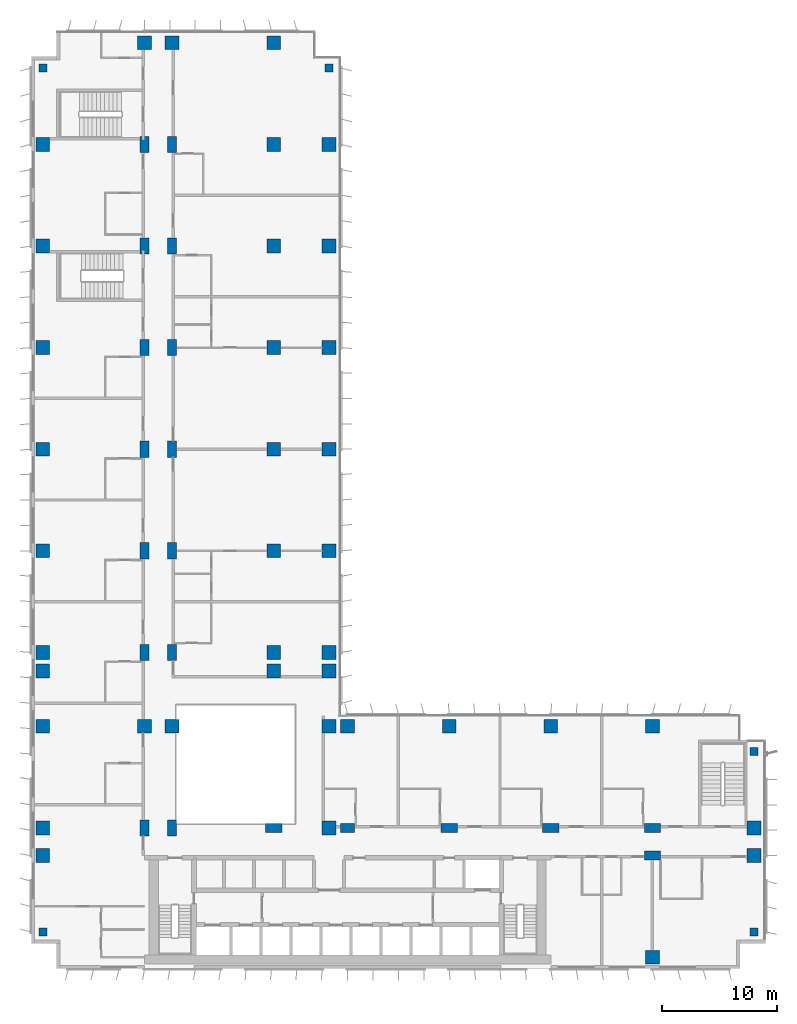
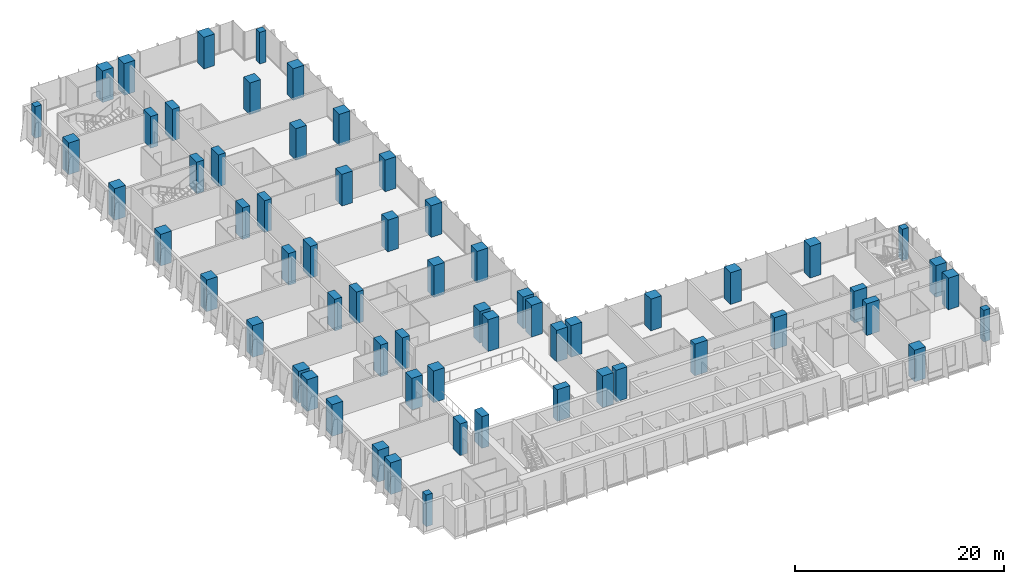
# One storey, part 1 of 22: 63 columns.
"""IFC4 building model written with IfcOpenShell, lengths in metres."""

from ifc_helpers import new_model, si_unit, direction, frame, origin, origin_2d, place, context, subcontext, project, spatial, rectangle, extrude, material, material_profile, profile_set, type_object, element, save


model = new_model("IFC4")

# Units and contexts
model_context = context("Model", 3, precision=1e-05, world=origin(), true_north=direction((0.0, 1.0)))
body_context = subcontext(model_context, "Body", "Model", "MODEL_VIEW")
ifc_project = project(units=[si_unit("LENGTHUNIT", "METRE"), si_unit("AREAUNIT", "SQUARE_METRE"), si_unit("VOLUMEUNIT", "CUBIC_METRE"), si_unit("PLANEANGLEUNIT", "RADIAN"), si_unit("MASSUNIT", "GRAM", prefix="KILO")], contexts=[model_context])

# Site, building, storey
site_placement = place(None, origin())
site = spatial("IfcSite", under=ifc_project, at=site_placement, CompositionType="ELEMENT")
building_placement = place(site_placement, origin())
building = spatial("IfcBuilding", under=site, at=building_placement, Name="Kemantara Hotel Tower", CompositionType="ELEMENT")
storey_placement = place(building_placement, frame((0.0, 0.0, 98.199951171875)))
storey = spatial("IfcBuildingStorey", under=building, at=storey_placement, Name="L23", CompositionType="ELEMENT", Elevation=98.199951171875)

# Columns
ifc_material = material(Name="Concrete fc 70 MPa", Category="concrete")
ifc_material_profile_1 = material_profile(ifc_material, rectangle(XDim=1.199951171875, YDim=1.199951171875, at=origin_2d()), Name="RC 1200X1200")
ifc_profile_set_1 = profile_set([ifc_material_profile_1], Name="Concrete fc 70 MPa")
column_type_1 = type_object("IfcColumnType", Name="RC COLUMN 1200X1200 FC70", PredefinedType="COLUMN", material=ifc_profile_set_1)
for number, where, z_axis, x_axis, name in (
    (1, (1.0, 9.800048828125, 0.0), (0.0, 0.0, 1.0), (1.0, 0.0, 0.0), "COLUMN 1/B L23"),
    (2, (1.0, 12.199951171875, 0.0), (0.0, 0.0, 1.0), (1.0, 0.0, 0.0), "COLUMN 1/BA L23"),
    (3, (1.0, 21.0, 0.0), (0.0, 0.0, 1.0), (1.0, 0.0, 0.0), "COLUMN 1/C L23"),
    (4, (1.0, 25.800048828125, 0.0), (0.0, 0.0, 1.0), (1.0, 0.0, 0.0), "COLUMN 1/CA L23"),
    (5, (1.0, 27.39990234375, 0.0), (0.0, 0.0, 1.0), (1.0, 0.0, 0.0), "COLUMN 1/D L23"),
    (6, (1.0, 36.199951171875, 0.0), (0.0, 0.0, 1.0), (1.0, 0.0, 0.0), "COLUMN 1/E L23"),
    (7, (1.0, 45.0, 0.0), (0.0, 0.0, 1.0), (1.0, 0.0, 0.0), "COLUMN 1/F L23"),
    (8, (1.0, 53.800048828125, 0.0), (0.0, 0.0, 1.0), (1.0, 0.0, 0.0), "COLUMN 1/G L23"),
    (9, (1.0, 62.60009765625, 0.0), (0.0, 0.0, 1.0), (1.0, 0.0, 0.0), "COLUMN 1/H L23"),
    (10, (1.0, 71.39990234375, 0.0), (0.0, 0.0, 1.0), (1.0, 0.0, 0.0), "COLUMN 1/J L23"),
    (11, (9.800048828125, 21.0, 0.0), (0.0, 0.0, 1.0), (1.0, 0.0, 0.0), "COLUMN 2/C L23"),
    (12, (9.800048828125, 80.199951171875, 0.0), (0.0, 0.0, 1.0), (1.0, 0.0, 0.0), "COLUMN 2/K L23"),
    (13, (12.199951171875, 21.0, 0.0), (0.0, 0.0, 1.0), (1.0, 0.0, 0.0), "COLUMN 2A/C L23"),
    (14, (12.199951171875, 80.199951171875, 0.0), (0.0, 0.0, 1.0), (1.0, 0.0, 0.0), "COLUMN 2A/K L23"),
    (15, (21.0, 25.800048828125, 0.0), (0.0, 0.0, 1.0), (1.0, 0.0, 0.0), "COLUMN 3/CA L23"),
    (16, (21.0, 27.39990234375, 0.0), (0.0, 0.0, 1.0), (1.0, 0.0, 0.0), "COLUMN 3/D L23"),
    (17, (21.0, 36.199951171875, 0.0), (0.0, 0.0, 1.0), (1.0, 0.0, 0.0), "COLUMN 3/E L23"),
    (18, (21.0, 45.0, 0.0), (0.0, 0.0, 1.0), (1.0, 0.0, 0.0), "COLUMN 3/F L23"),
    (19, (21.0, 53.800048828125, 0.0), (0.0, 0.0, 1.0), (1.0, 0.0, 0.0), "COLUMN 3/G L23"),
    (20, (21.0, 62.60009765625, 0.0), (0.0, 0.0, 1.0), (1.0, 0.0, 0.0), "COLUMN 3/H L23"),
    (21, (21.0, 71.39990234375, 0.0), (0.0, 0.0, 1.0), (1.0, 0.0, 0.0), "COLUMN 3/J L23"),
    (22, (21.0, 80.199951171875, 0.0), (0.0, 0.0, 1.0), (1.0, 0.0, 0.0), "COLUMN 3/K L23"),
    (23, (25.800048828125, 12.199951171875, 0.0), (0.0, 0.0, 1.0), (1.0, 0.0, 0.0), "COLUMN 3A/BA L23"),
    (24, (25.800048828125, 21.0, 0.0), (0.0, 0.0, 1.0), (1.0, 0.0, 0.0), "COLUMN 3A/C L23"),
    (25, (25.800048828125, 25.800048828125, 0.0), (0.0, 0.0, 1.0), (1.0, 0.0, 0.0), "COLUMN 3A/CA L23"),
    (26, (25.800048828125, 27.39990234375, 0.0), (0.0, 0.0, 1.0), (1.0, 0.0, 0.0), "COLUMN 3A/D L23"),
    (27, (25.800048828125, 36.199951171875, 0.0), (0.0, 0.0, 1.0), (1.0, 0.0, 0.0), "COLUMN 3A/E L23"),
    (28, (25.800048828125, 45.0, 0.0), (0.0, 0.0, 1.0), (1.0, 0.0, 0.0), "COLUMN 3A/F L23"),
    (29, (25.800048828125, 53.800048828125, 0.0), (0.0, 0.0, 1.0), (1.0, 0.0, 0.0), "COLUMN 3A/G L23"),
    (30, (25.800048828125, 62.60009765625, 0.0), (0.0, 0.0, 1.0), (1.0, 0.0, 0.0), "COLUMN 3A/H L23"),
    (31, (25.800048828125, 71.39990234375, 0.0), (0.0, 0.0, 1.0), (1.0, 0.0, 0.0), "COLUMN 3A/J L23"),
    (32, (27.39990234375, 21.0, 0.0), (0.0, 0.0, 1.0), (1.0, 0.0, 0.0), "COLUMN 4/C L23"),
    (33, (36.199951171875, 21.0, 0.0), (0.0, 0.0, 1.0), (1.0, 0.0, 0.0), "COLUMN 5/C L23"),
    (34, (45.0, 21.0, 0.0), (0.0, 0.0, 1.0), (1.0, 0.0, 0.0), "COLUMN 6/C L23"),
    (35, (53.800048828125, 1.0, 0.0), (0.0, 0.0, 1.0), (1.0, 0.0, 0.0), "COLUMN 7/A L23"),
    (36, (53.800048828125, 21.0, 0.0), (0.0, 0.0, 1.0), (1.0, 0.0, 0.0), "COLUMN 7/C L23"),
    (37, (62.60009765625, 9.800048828125, 0.0), (0.0, 0.0, 1.0), (1.0, 0.0, 0.0), "COLUMN 8/B L23"),
    (38, (62.60009765625, 12.199951171875, 0.0), (0.0, 0.0, 1.0), (1.0, 0.0, 0.0), "COLUMN 8/BA L23"),
):
    element("IfcColumn", number, at=place(storey_placement, frame(where, z_axis=z_axis, x_axis=x_axis)), inside=storey, type_object=column_type_1, Name=name, PredefinedType="COLUMN", context=body_context, shape_type="SweptSolid", body=[
        extrude(rectangle(XDim=1.199951171875, YDim=1.199951171875, at=origin_2d()), origin(), (0.0, 0.0, 1.0), 3.699951171875),
    ])
ifc_material_profile_2 = material_profile(ifc_material, rectangle(XDim=1.199951171875, YDim=0.800048828125, at=origin_2d()), Name="RC 1200X800")
ifc_profile_set_2 = profile_set([ifc_material_profile_2], Name="Concrete fc 70 MPa")
column_type_2 = type_object("IfcColumnType", Name="RC COLUMN 1200X800 FC70", PredefinedType="COLUMN", material=ifc_profile_set_2)
column_placement = place(storey_placement, frame((27.39990234375, 12.199951171875, 0.0), z_axis=(0.0, 0.0, 1.0), x_axis=(1.0, 0.0, 0.0)))
element("IfcColumn", 39, at=column_placement, inside=storey, type_object=column_type_2, Name="COLUMN 4/BA L23", PredefinedType="COLUMN", context=body_context, shape_type="SweptSolid", body=[
    extrude(rectangle(XDim=1.199951171875, YDim=0.800048828125, at=origin_2d()), origin(), (0.0, 0.0, 1.0), 3.699951171875),
])
ifc_material_profile_3 = material_profile(ifc_material, rectangle(XDim=1.39990234375, YDim=0.800048828125, at=origin_2d()), Name="RC 1400X800")
ifc_profile_set_3 = profile_set([ifc_material_profile_3], Name="Concrete fc 70 MPa")
column_type_3 = type_object("IfcColumnType", Name="RC COLUMN 1400X800 FC70", PredefinedType="COLUMN", material=ifc_profile_set_3)
for number, where, z_axis, x_axis, name in (
    (40, (9.800048828125, 12.199951171875, 0.0), (0.0, 0.0, 1.0), (0.0, 1.0, 0.0), "COLUMN 2/BA L23"),
    (41, (9.800048828125, 27.39990234375, 0.0), (0.0, 0.0, 1.0), (0.0, 1.0, 0.0), "COLUMN 2/D L23"),
    (42, (9.800048828125, 36.199951171875, 0.0), (0.0, 0.0, 1.0), (0.0, 1.0, 0.0), "COLUMN 2/E L23"),
    (43, (9.800048828125, 45.0, 0.0), (0.0, 0.0, 1.0), (0.0, 1.0, 0.0), "COLUMN 2/F L23"),
    (44, (9.800048828125, 53.800048828125, 0.0), (0.0, 0.0, 1.0), (0.0, 1.0, 0.0), "COLUMN 2/G L23"),
    (45, (9.800048828125, 62.60009765625, 0.0), (0.0, 0.0, 1.0), (0.0, 1.0, 0.0), "COLUMN 2/H L23"),
    (46, (9.800048828125, 71.39990234375, 0.0), (0.0, 0.0, 1.0), (0.0, 1.0, 0.0), "COLUMN 2/J L23"),
    (47, (12.199951171875, 12.199951171875, 0.0), (0.0, 0.0, 1.0), (0.0, 1.0, 0.0), "COLUMN 2A/BA L23"),
    (48, (12.199951171875, 27.39990234375, 0.0), (0.0, 0.0, 1.0), (0.0, 1.0, 0.0), "COLUMN 2A/D L23"),
    (49, (12.199951171875, 36.199951171875, 0.0), (0.0, 0.0, 1.0), (0.0, 1.0, 0.0), "COLUMN 2A/E L23"),
    (50, (12.199951171875, 45.0, 0.0), (0.0, 0.0, 1.0), (0.0, 1.0, 0.0), "COLUMN 2A/F L23"),
    (51, (12.199951171875, 53.800048828125, 0.0), (0.0, 0.0, 1.0), (0.0, 1.0, 0.0), "COLUMN 2A/G L23"),
    (52, (12.199951171875, 62.60009765625, 0.0), (0.0, 0.0, 1.0), (0.0, 1.0, 0.0), "COLUMN 2A/H L23"),
    (53, (12.199951171875, 71.39990234375, 0.0), (0.0, 0.0, 1.0), (0.0, 1.0, 0.0), "COLUMN 2A/J L23"),
    (54, (21.0, 12.199951171875, 0.0), (0.0, 0.0, 1.0), (1.0, 0.0, 0.0), "COLUMN 3/BA L23"),
    (55, (36.199951171875, 12.199951171875, 0.0), (0.0, 0.0, 1.0), (1.0, 0.0, 0.0), "COLUMN 5/BA L23"),
    (56, (45.0, 12.199951171875, 0.0), (0.0, 0.0, 1.0), (1.0, 0.0, 0.0), "COLUMN 6/BA L23"),
    (57, (53.800048828125, 9.800048828125, 0.0), (0.0, 0.0, 1.0), (1.0, 0.0, 0.0), "COLUMN 7/B L23"),
    (58, (53.800048828125, 12.199951171875, 0.0), (0.0, 0.0, 1.0), (1.0, 0.0, 0.0), "COLUMN 7/BA L23"),
):
    element("IfcColumn", number, at=place(storey_placement, frame(where, z_axis=z_axis, x_axis=x_axis)), inside=storey, type_object=column_type_3, Name=name, PredefinedType="COLUMN", context=body_context, shape_type="SweptSolid", body=[
        extrude(rectangle(XDim=1.39990234375, YDim=0.800048828125, at=origin_2d()), origin(), (0.0, 0.0, 1.0), 3.699951171875),
    ])
ifc_material_profile_4 = material_profile(ifc_material, rectangle(XDim=0.699951171875, YDim=0.699951171875, at=origin_2d()), Name="RC 700X700")
ifc_profile_set_4 = profile_set([ifc_material_profile_4], Name="Concrete fc 70 MPa")
column_type_4 = type_object("IfcColumnType", Name="RC COLUMN 700X700 FC70", PredefinedType="COLUMN", material=ifc_profile_set_4)
for number, where, z_axis, x_axis, name in (
    (59, (1.0, 3.199951171875, 0.0), (0.0, 0.0, 1.0), (1.0, 0.0, 0.0), "COLUMN notch corner L23"),
    (60, (1.0, 78.0, 0.0), (0.0, 0.0, 1.0), (1.0, 0.0, 0.0), "COLUMN notch corner L23"),
    (61, (25.800048828125, 78.0, 0.0), (0.0, 0.0, 1.0), (1.0, 0.0, 0.0), "COLUMN notch corner L23"),
    (62, (62.60009765625, 3.199951171875, 0.0), (0.0, 0.0, 1.0), (1.0, 0.0, 0.0), "COLUMN notch corner L23"),
    (63, (62.60009765625, 18.800048828125, 0.0), (0.0, 0.0, 1.0), (1.0, 0.0, 0.0), "COLUMN notch corner L23"),
):
    element("IfcColumn", number, at=place(storey_placement, frame(where, z_axis=z_axis, x_axis=x_axis)), inside=storey, type_object=column_type_4, Name=name, PredefinedType="COLUMN", context=body_context, shape_type="SweptSolid", body=[
        extrude(rectangle(XDim=0.699951171875, YDim=0.699951171875, at=origin_2d()), origin(), (0.0, 0.0, 1.0), 3.699951171875),
    ])

save(model, "model.ifc")
